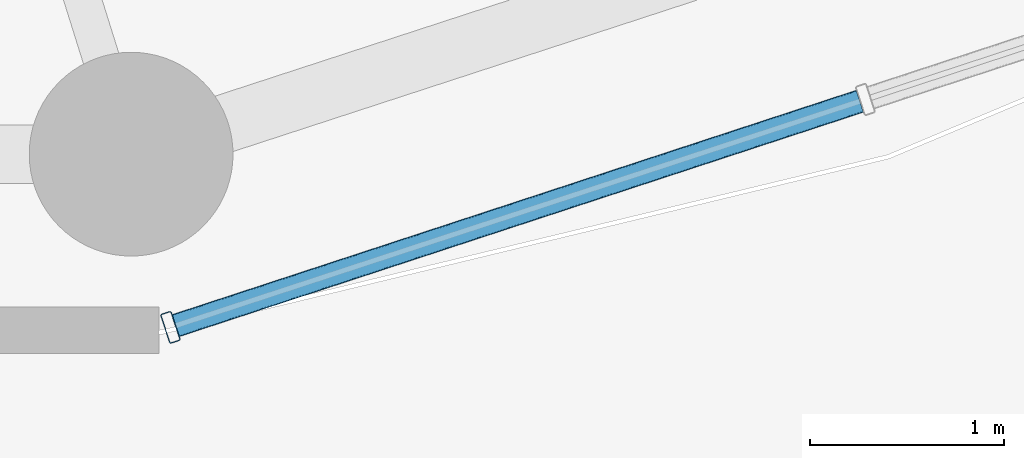
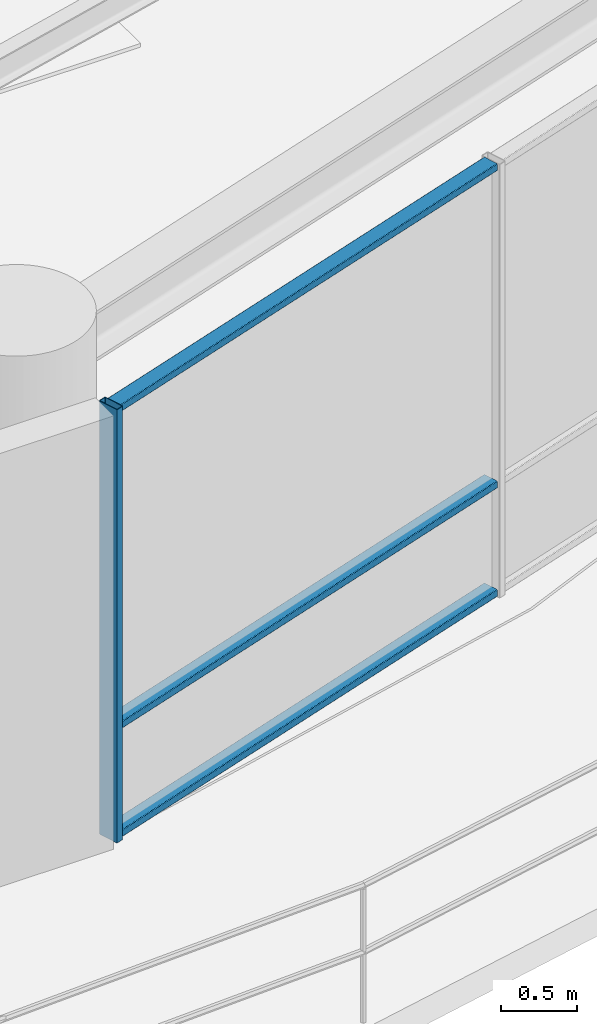
# One storey, part 4 of 31: 4 members, 1 element without a shape of its own.
"""IFC4 building model written with IfcOpenShell, lengths in metres."""

from ifc_helpers import new_model, si_unit, direction, frame, origin, origin_2d, place, context, subcontext, project, spatial, hollow_rectangle, extrude, material, layer, layer_set, material_profile, profile_set, type_object, element, aggregate, save


model = new_model("IFC4")

# Units and contexts
model_context = context("Model", 3, precision=1e-05, world=origin(), true_north=direction((0.0, 1.0)))
body_context = subcontext(model_context, "Body", "Model", "MODEL_VIEW")
ifc_project = project(units=[si_unit("LENGTHUNIT", "METRE"), si_unit("AREAUNIT", "SQUARE_METRE"), si_unit("VOLUMEUNIT", "CUBIC_METRE"), si_unit("PLANEANGLEUNIT", "RADIAN"), si_unit("MASSUNIT", "GRAM", prefix="KILO")], contexts=[model_context])

# Site, building, storey
site_placement = place(None, origin())
site = spatial("IfcSite", under=ifc_project, at=site_placement, CompositionType="ELEMENT")
building_placement = place(site_placement, origin())
building = spatial("IfcBuilding", under=site, at=building_placement, Name="Kelanora Arch Commons", CompositionType="ELEMENT")
storey_placement = place(building_placement, frame((0.0, 0.0, 219.449951171875)))
storey = spatial("IfcBuildingStorey", under=building, at=storey_placement, Name="L56", CompositionType="ELEMENT", Elevation=219.449951171875)

# Curtain wall, members
ifc_material_1 = material(Name="Terracotta ceramic-fritted low-E glass and aluminium", Category="masonry")
ifc_layer = layer(ifc_material_1, 0.175048828125)
ifc_layer_set = layer_set([ifc_layer], Name="Terracotta ceramic-fritted low-E glass and aluminium")
curtain_wall_type = type_object("IfcCurtainWallType", Name="CW-SYS-02", PredefinedType="NOTDEFINED", material=ifc_layer_set)
curtain_wall_placement = place(storey_placement, origin())
curtain_wall = element("IfcCurtainWall", 1, at=curtain_wall_placement, inside=storey, type_object=curtain_wall_type, Name="Unitised Curtain Wall L56-B14", PredefinedType="NOTDEFINED")
ifc_material_2 = material(Name="Powder-coated aluminium terracotta", Category="masonry")
ifc_material_profile_1 = material_profile(ifc_material_2, hollow_rectangle(XDim=0.159912109375, YDim=0.06005859375, WallThickness=0.0048828125, InnerFilletRadius=0.0048828125, OuterFilletRadius=0.010009765625, at=origin_2d()), Name="CWM160x60")
ifc_profile_set_1 = profile_set([ifc_material_profile_1], Name="Powder-coated aluminium terracotta")
member_type_1 = type_object("IfcMemberType", Name="CWM-STD", PredefinedType="MULLION", material=ifc_profile_set_1)
member_1_placement = place(storey_placement, frame((77.897705078125, 38.31787109375, 0.0), z_axis=(0.0, 0.0, 1.0), x_axis=(-0.311582439059, 0.950219124029, 0.0)))
member_1 = element("IfcMember", 2, at=member_1_placement, type_object=member_type_1, Name="CW-02 mullion 1", PredefinedType="MULLION", context=body_context, shape_type="SweptSolid", body=[
    extrude(hollow_rectangle(XDim=0.159912109375, YDim=0.06005859375, WallThickness=0.0048828125, InnerFilletRadius=0.0048828125, OuterFilletRadius=0.010009765625, at=origin_2d()), origin(), (0.0, 0.0, 1.0), 3.47509765625),
])
ifc_material_profile_2 = material_profile(ifc_material_2, hollow_rectangle(XDim=0.1201171875, YDim=0.06005859375, WallThickness=0.0048828125, InnerFilletRadius=0.0048828125, OuterFilletRadius=0.010009765625, at=origin_2d()), Name="CWT120x60")
ifc_profile_set_2 = profile_set([ifc_material_profile_2], Name="Powder-coated aluminium terracotta")
member_type_2 = type_object("IfcMemberType", Name="CWT-STD", PredefinedType="USERDEFINED", material=ifc_profile_set_2)
member_2_placement = place(storey_placement, frame((77.92626953125, 38.3271484375, 0.030029296875), z_axis=(0.950206527055, 0.311620852867, 0.0), x_axis=(-0.311620852867, 0.950206527055, 0.0)))
member_2 = element("IfcMember", 3, at=member_2_placement, type_object=member_type_2, Name="CW-02 transom 1.1", ObjectType="TRANSOM", PredefinedType="USERDEFINED", context=body_context, shape_type="SweptSolid", body=[
    extrude(hollow_rectangle(XDim=0.1201171875, YDim=0.06005859375, WallThickness=0.0048828125, InnerFilletRadius=0.0048828125, OuterFilletRadius=0.010009765625, at=origin_2d()), origin(), (0.0, 0.0, 1.0), 3.707275390625),
])
member_3_placement = place(storey_placement, frame((77.92626953125, 38.3271484375, 0.900146484375), z_axis=(0.950206527055, 0.311620852867, 0.0), x_axis=(-0.311620852867, 0.950206527055, 0.0)))
member_3 = element("IfcMember", 4, at=member_3_placement, type_object=member_type_2, Name="CW-02 transom 1.2", ObjectType="TRANSOM", PredefinedType="USERDEFINED", context=body_context, shape_type="SweptSolid", body=[
    extrude(hollow_rectangle(XDim=0.1201171875, YDim=0.06005859375, WallThickness=0.0048828125, InnerFilletRadius=0.0048828125, OuterFilletRadius=0.010009765625, at=origin_2d()), origin(), (0.0, 0.0, 1.0), 3.707275390625),
])
member_4_placement = place(storey_placement, frame((77.92626953125, 38.3271484375, 3.445068359375), z_axis=(0.950206527055, 0.311620852867, 0.0), x_axis=(-0.311620852867, 0.950206527055, 0.0)))
member_4 = element("IfcMember", 5, at=member_4_placement, type_object=member_type_2, Name="CW-02 transom 1.3", ObjectType="TRANSOM", PredefinedType="USERDEFINED", context=body_context, shape_type="SweptSolid", body=[
    extrude(hollow_rectangle(XDim=0.1201171875, YDim=0.06005859375, WallThickness=0.0048828125, InnerFilletRadius=0.0048828125, OuterFilletRadius=0.010009765625, at=origin_2d()), origin(), (0.0, 0.0, 1.0), 3.707275390625),
])
aggregate(curtain_wall, [member_1, member_2, member_3, member_4])

save(model, "model.ifc")
